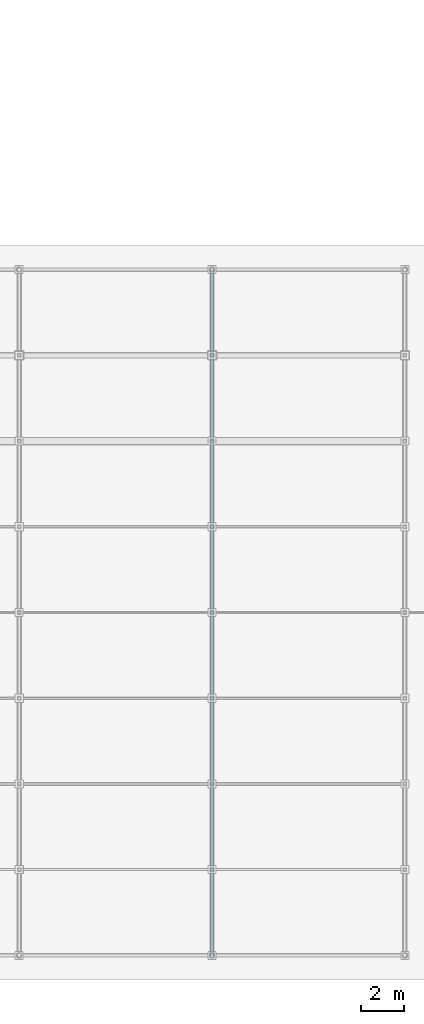
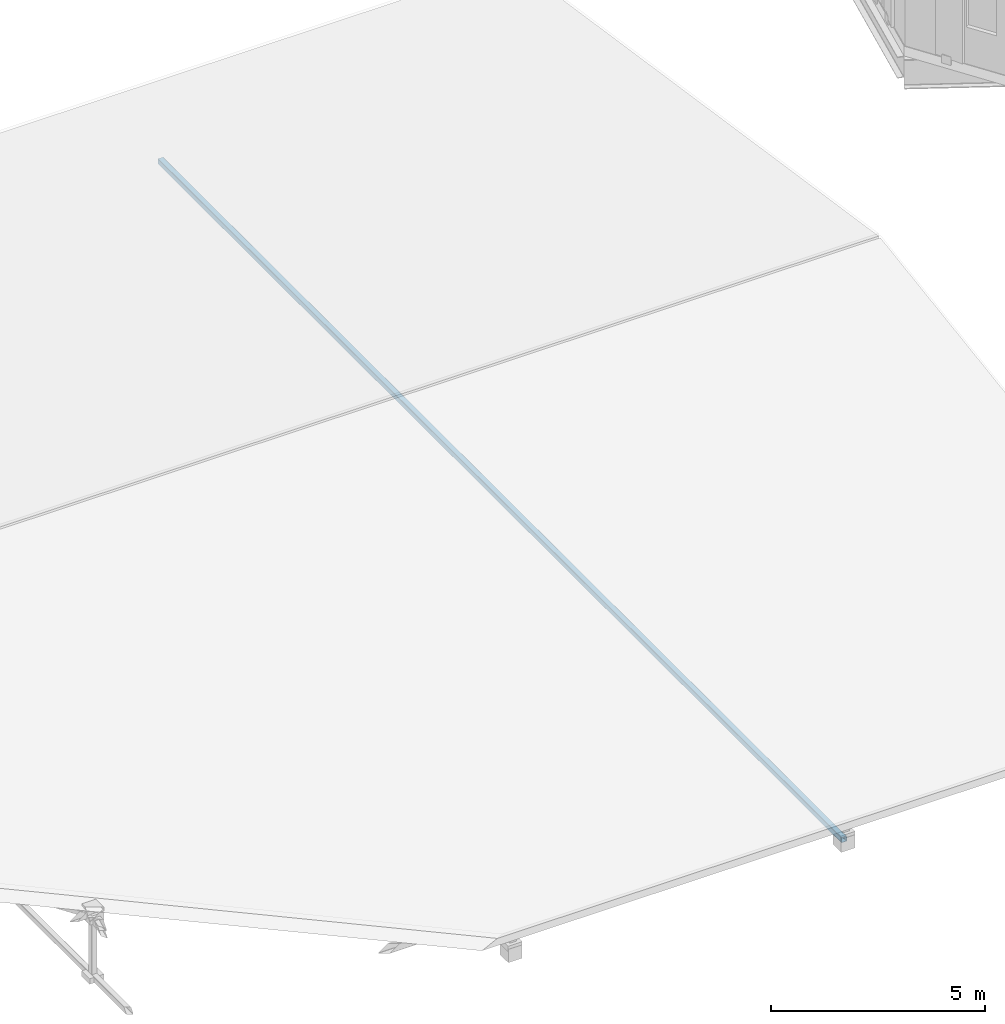
# One storey, part 19 of 118: 1 beam.
"""IFC4 building model written with IfcOpenShell, lengths in metres."""

from ifc_helpers import new_model, si_unit, direction, frame, origin, origin_2d, place, context, subcontext, project, spatial, hollow_rectangle, extrude, material, material_profile, profile_set, type_object, element, save


model = new_model("IFC4")

# Units and contexts
model_context = context("Model", 3, precision=1e-05, world=origin(), true_north=direction((0.0, 1.0)))
body_context = subcontext(model_context, "Body", "Model", "MODEL_VIEW")
ifc_project = project(units=[si_unit("LENGTHUNIT", "METRE"), si_unit("AREAUNIT", "SQUARE_METRE"), si_unit("VOLUMEUNIT", "CUBIC_METRE"), si_unit("PLANEANGLEUNIT", "RADIAN"), si_unit("MASSUNIT", "GRAM", prefix="KILO"), si_unit("THERMODYNAMICTEMPERATUREUNIT", "KELVIN"), si_unit("POWERUNIT", "WATT")], contexts=[model_context])

# Site, building, storey
site_placement = place(None, origin())
site = spatial("IfcSite", under=ifc_project, at=site_placement, CompositionType="ELEMENT")
building_placement = place(site_placement, origin())
building = spatial("IfcBuilding", under=site, at=building_placement, Name="Zelmaris Science Centre", CompositionType="ELEMENT")
storey_placement = place(building_placement, frame((0.0, 0.0, 15.60009765625)))
storey = spatial("IfcBuildingStorey", under=building, at=storey_placement, Name="L03", CompositionType="ELEMENT", Elevation=15.60009765625)

# Beam
ifc_material = material(Name="Steel ASTM A500 Grade C", Category="steel")
ifc_material_profile = material_profile(ifc_material, hollow_rectangle(XDim=0.15234375, YDim=0.15234375, WallThickness=0.0087890625, InnerFilletRadius=0.0087890625, OuterFilletRadius=0.017822265625, at=origin_2d()), Name="HSS152X152X10")
ifc_profile_set = profile_set([ifc_material_profile], Name="Steel ASTM A500 Grade C")
beam_type = type_object("IfcBeamType", Name="Beam G-21 HSS152X152X10", PredefinedType="BEAM", material=ifc_profile_set)
beam_placement = place(storey_placement, frame((45.0, 8.0, -0.1044921875), z_axis=(0.0, 1.0, 0.0), x_axis=(-1.0, 0.0, 0.0)))
element("IfcBeam", 1, at=beam_placement, inside=storey, type_object=beam_type, Name="RF-V3 Roof truss 5 bottom chord", PredefinedType="BEAM", context=body_context, shape_type="SweptSolid", body=[
    extrude(hollow_rectangle(XDim=0.15234375, YDim=0.15234375, WallThickness=0.0087890625, InnerFilletRadius=0.0087890625, OuterFilletRadius=0.017822265625, at=origin_2d()), origin(), (0.0, 0.0, 1.0), 32.0),
])

save(model, "model.ifc")
